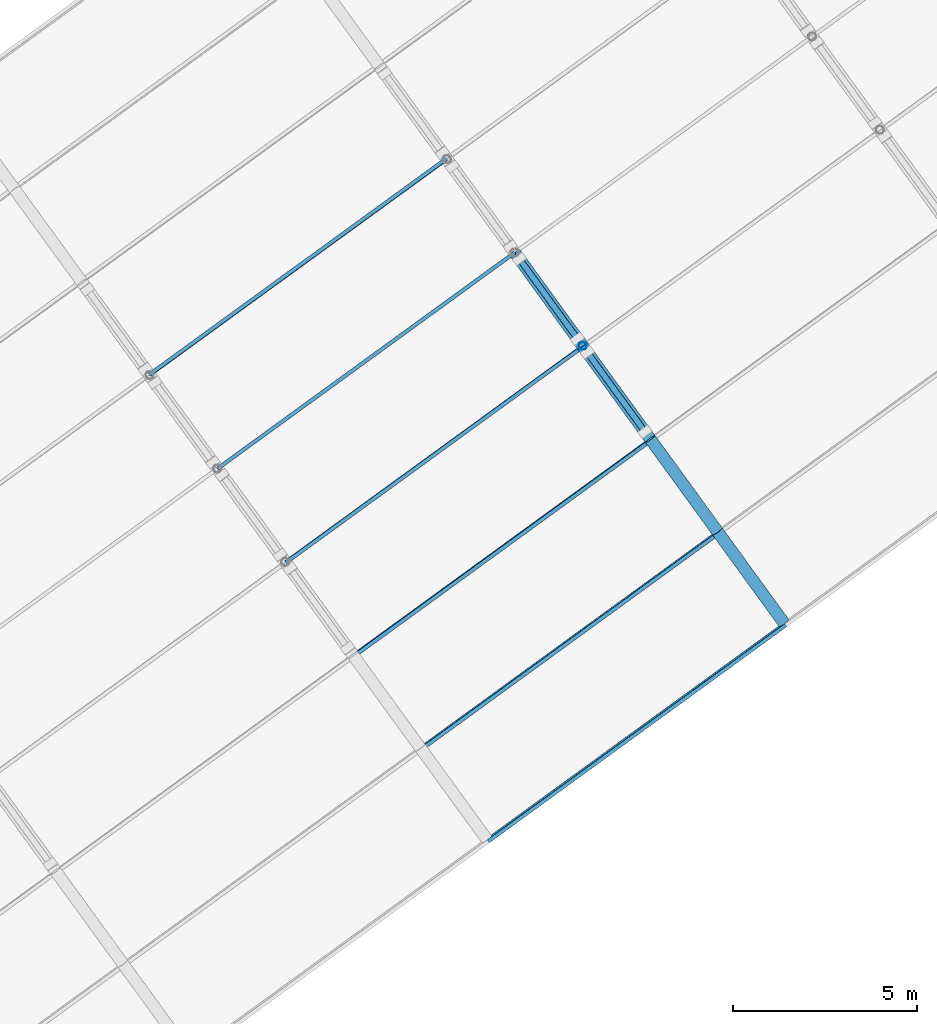
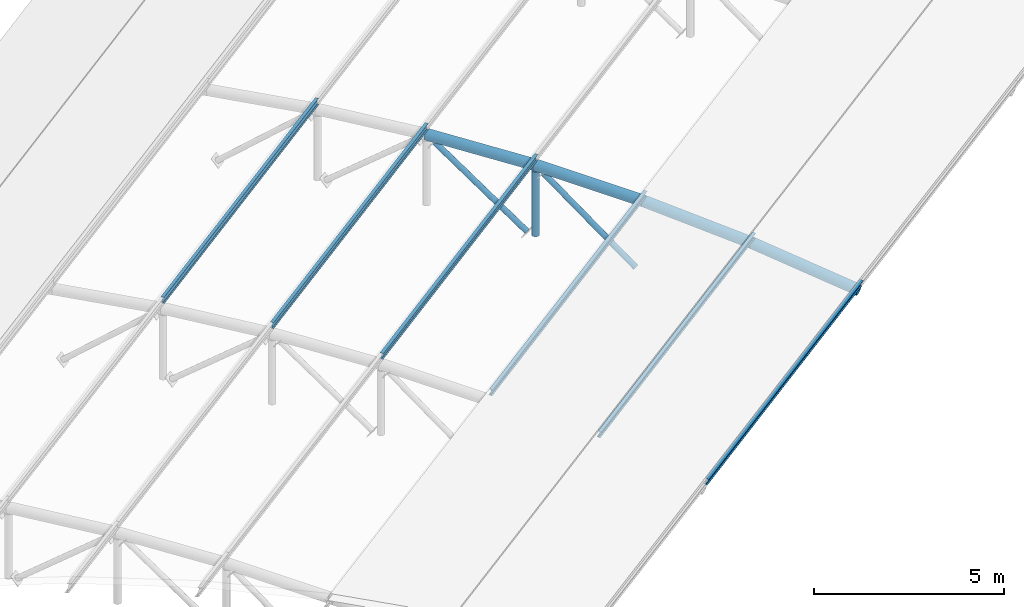
# One storey, part 17 of 41: 7 members, 6 beams.
"""IFC4 building model written with IfcOpenShell, lengths in metres."""

from ifc_helpers import new_model, si_unit, direction, frame, origin, origin_2d, place, context, subcontext, project, spatial, hollow_circle, i_section, extrude, material, material_profile, profile_set, type_object, element, save


model = new_model("IFC4")

# Units and contexts
model_context = context("Model", 3, precision=1e-05, world=origin(), true_north=direction((0.0, 1.0)))
body_context = subcontext(model_context, "Body", "Model", "MODEL_VIEW")
ifc_project = project(units=[si_unit("LENGTHUNIT", "METRE"), si_unit("AREAUNIT", "SQUARE_METRE"), si_unit("VOLUMEUNIT", "CUBIC_METRE"), si_unit("PLANEANGLEUNIT", "RADIAN"), si_unit("MASSUNIT", "GRAM", prefix="KILO")], contexts=[model_context])

# Site, building, storey
site_placement = place(None, origin())
site = spatial("IfcSite", under=ifc_project, at=site_placement, CompositionType="ELEMENT")
building_placement = place(site_placement, origin())
building = spatial("IfcBuilding", under=site, at=building_placement, Name="Okhra Congress Centre", CompositionType="ELEMENT")
storey_placement = place(building_placement, frame((0.0, 0.0, 21.60009765625)))
storey = spatial("IfcBuildingStorey", under=building, at=storey_placement, Name="ROOF", CompositionType="ELEMENT", Elevation=21.60009765625)

# Members
ifc_material_1 = material(Name="Steel S355J2H", Category="steel")
ifc_material_profile_1 = material_profile(ifc_material_1, hollow_circle(Radius=0.084228515625, WallThickness=0.00634765625, at=origin_2d()), Name="CHS 168.3x6.3")
ifc_profile_set_1 = profile_set([ifc_material_profile_1], Name="Steel S355J2H")
member_type_1 = type_object("IfcMemberType", Name="CHS 168.3x6.3", PredefinedType="BRACE", material=ifc_profile_set_1)
member_1_placement = place(storey_placement, frame((249.84130859375, 196.5908203125, -1.07080078125), z_axis=(-0.44685165687, 0.615058439697, 0.649635830685), x_axis=(-0.809026036893, -0.587772806133, 0.0)))
element("IfcMember", 1, at=member_1_placement, inside=storey, type_object=member_type_1, Name="Truss 5 diagonal 8", PredefinedType="BRACE", context=body_context, shape_type="SweptSolid", body=[
    extrude(hollow_circle(Radius=0.084228515625, WallThickness=0.00634765625, at=origin_2d()), origin(), (0.0, 0.0, 1.0), 3.4951171875),
])
member_2_placement = place(storey_placement, frame((248.00244140625, 199.121826171875, -0.812255859375), z_axis=(-0.460427799508, 0.633760263966, 0.621573945125), x_axis=(-0.809032767915, -0.587763541264, 0.0)))
element("IfcMember", 2, at=member_2_placement, inside=storey, type_object=member_type_1, Name="Truss 5 diagonal 9", PredefinedType="BRACE", context=body_context, shape_type="SweptSolid", body=[
    extrude(hollow_circle(Radius=0.084228515625, WallThickness=0.00634765625, at=origin_2d()), origin(), (0.0, 0.0, 1.0), 3.40576171875),
])
ifc_material_profile_2 = material_profile(ifc_material_1, hollow_circle(Radius=0.109619140625, WallThickness=0.008056640625, at=origin_2d()), Name="CHS 219.1x8")
ifc_profile_set_2 = profile_set([ifc_material_profile_2], Name="Steel S355J2H")
member_type_2 = type_object("IfcMemberType", Name="CHS 219.1x8", PredefinedType="POST", material=ifc_profile_set_2)
member_3_placement = place(storey_placement, frame((248.146484375, 198.923583984375, -0.842529296875), z_axis=(0.0, 0.0, 1.0), x_axis=(1.0, 0.0, 0.0)))
element("IfcMember", 3, at=member_3_placement, inside=storey, type_object=member_type_2, Name="Truss 5 post 8", PredefinedType="POST", context=body_context, shape_type="SweptSolid", body=[
    extrude(hollow_circle(Radius=0.109619140625, WallThickness=0.008056640625, at=origin_2d()), origin(), (0.0, 0.0, 1.0), 2.071533203125),
])
ifc_material_profile_3 = material_profile(ifc_material_1, hollow_circle(Radius=0.161865234375, WallThickness=0.012451171875, at=origin_2d()), Name="CHS 323.9x12.5")
ifc_profile_set_3 = profile_set([ifc_material_profile_3], Name="Steel S355J2H")
member_type_3 = type_object("IfcMemberType", Name="CHS 323.9x12.5", PredefinedType="CHORD", material=ifc_profile_set_3)
for number, where, z_axis, x_axis, name in (
    (4, (253.620849609375, 191.388916015625, 0.029052734375), (-0.575629649566, 0.792326309435, 0.202162127805), (-0.80903112876, -0.587765797488, 0.0), "Truss 5 top chord 6"),
    (5, (251.812744140625, 193.877685546875, 0.6640625), (-0.581594707866, 0.800460229362, 0.144951774712), (-0.809004349852, -0.587802655592, 0.0), "Truss 5 top chord 7"),
    (6, (249.98583984375, 196.39208984375, 1.119384765625), (-0.585574378555, 0.805922581794, 0.087128866254), (-0.808999165888, -0.587809790317, 0.0), "Truss 5 top chord 8"),
    (7, (248.146484375, 198.923583984375, 1.39306640625), (-0.587501206553, 0.808698247677, 0.02914578019), (-0.809041951748, -0.587750899881, 0.0), "Truss 5 top chord 9"),
):
    element("IfcMember", number, at=place(storey_placement, frame(where, z_axis=z_axis, x_axis=x_axis)), inside=storey, type_object=member_type_3, Name=name, PredefinedType="CHORD", context=body_context, shape_type="SweptSolid", body=[
        extrude(hollow_circle(Radius=0.161865234375, WallThickness=0.012451171875, at=origin_2d()), origin(), (0.0, 0.0, 1.0), 3.14111328125),
    ])

# Beams
ifc_material_2 = material(Name="Steel S355J2", Category="steel")
ifc_material_profile_4 = material_profile(ifc_material_2, i_section(OverallWidth=0.10009765625, OverallDepth=0.199951171875, WebThickness=0.005615234375, FlangeThickness=0.008544921875, FilletRadius=0.011962890625, at=origin_2d()), Name="IPE 200")
ifc_profile_set_4 = profile_set([ifc_material_profile_4], Name="Steel S355J2")
beam_type = type_object("IfcBeamType", Name="IPE 200", PredefinedType="BEAM", material=ifc_profile_set_4)
for number, where, z_axis, x_axis, name in (
    (8, (245.565673828125, 185.462646484375, 0.281005859375), (0.809018924928, 0.587782595105, 0.0), (-0.571938839183, 0.787211715105, 0.230615870737), "Purlin 6.34"),
    (9, (243.748779296875, 187.96337890625, 0.919189453125), (0.809018924928, 0.587782595105, 0.0), (-0.578852856745, 0.796728109603, 0.173648177667), "Purlin 7.40"),
):
    element("IfcBeam", number, at=place(storey_placement, frame(where, z_axis=z_axis, x_axis=x_axis)), inside=storey, type_object=beam_type, Name=name, PredefinedType="BEAM", context=body_context, shape_type="SweptSolid", body=[
        extrude(i_section(OverallWidth=0.10009765625, OverallDepth=0.199951171875, WebThickness=0.005615234375, FlangeThickness=0.008544921875, FilletRadius=0.011962890625, at=origin_2d()), origin(), (0.0, 0.0, 1.0), 10.000244140625),
    ])
for number, where, z_axis, x_axis, name in (
    (10, (241.913330078125, 190.48974609375, 1.376708984375), (0.809010490052, 0.58779420462, 0.0), (-0.583819750487, 0.803540250535, 0.116092914131), "Purlin 8.46"),
    (11, (240.065185546875, 193.033447265625, 1.651611328125), (0.809010490052, 0.58779420462, 0.0), (-0.586799749857, 0.807641772347, 0.058144828905), "Purlin 9.52"),
):
    element("IfcBeam", number, at=place(storey_placement, frame(where, z_axis=z_axis, x_axis=x_axis)), inside=storey, type_object=beam_type, Name=name, PredefinedType="BEAM", context=body_context, shape_type="SweptSolid", body=[
        extrude(i_section(OverallWidth=0.10009765625, OverallDepth=0.199951171875, WebThickness=0.005615234375, FlangeThickness=0.008544921875, FilletRadius=0.011962890625, at=origin_2d()), origin(), (0.0, 0.0, 1.0), 10.0),
    ])
beam_1_placement = place(storey_placement, frame((238.210693359375, 195.5859375, 1.743408203125), z_axis=(0.809018924928, 0.587782595105, 0.0), x_axis=(-0.587782595105, 0.809018924928, 0.0)))
element("IfcBeam", 12, at=beam_1_placement, inside=storey, type_object=beam_type, Name="Purlin 10.58", PredefinedType="BEAM", context=body_context, shape_type="SweptSolid", body=[
    extrude(i_section(OverallWidth=0.10009765625, OverallDepth=0.199951171875, WebThickness=0.005615234375, FlangeThickness=0.008544921875, FilletRadius=0.011962890625, at=origin_2d()), origin(), (0.0, 0.0, 1.0), 10.000244140625),
])
beam_2_placement = place(storey_placement, frame((236.3564453125, 198.13818359375, 1.651611328125), z_axis=(0.809010490052, 0.58779420462, 0.0), x_axis=(-0.586799749857, 0.807641772347, -0.058144828905)))
element("IfcBeam", 13, at=beam_2_placement, inside=storey, type_object=beam_type, Name="Purlin 11.64", PredefinedType="BEAM", context=body_context, shape_type="SweptSolid", body=[
    extrude(i_section(OverallWidth=0.10009765625, OverallDepth=0.199951171875, WebThickness=0.005615234375, FlangeThickness=0.008544921875, FilletRadius=0.011962890625, at=origin_2d()), origin(), (0.0, 0.0, 1.0), 10.0),
])

save(model, "model.ifc")
